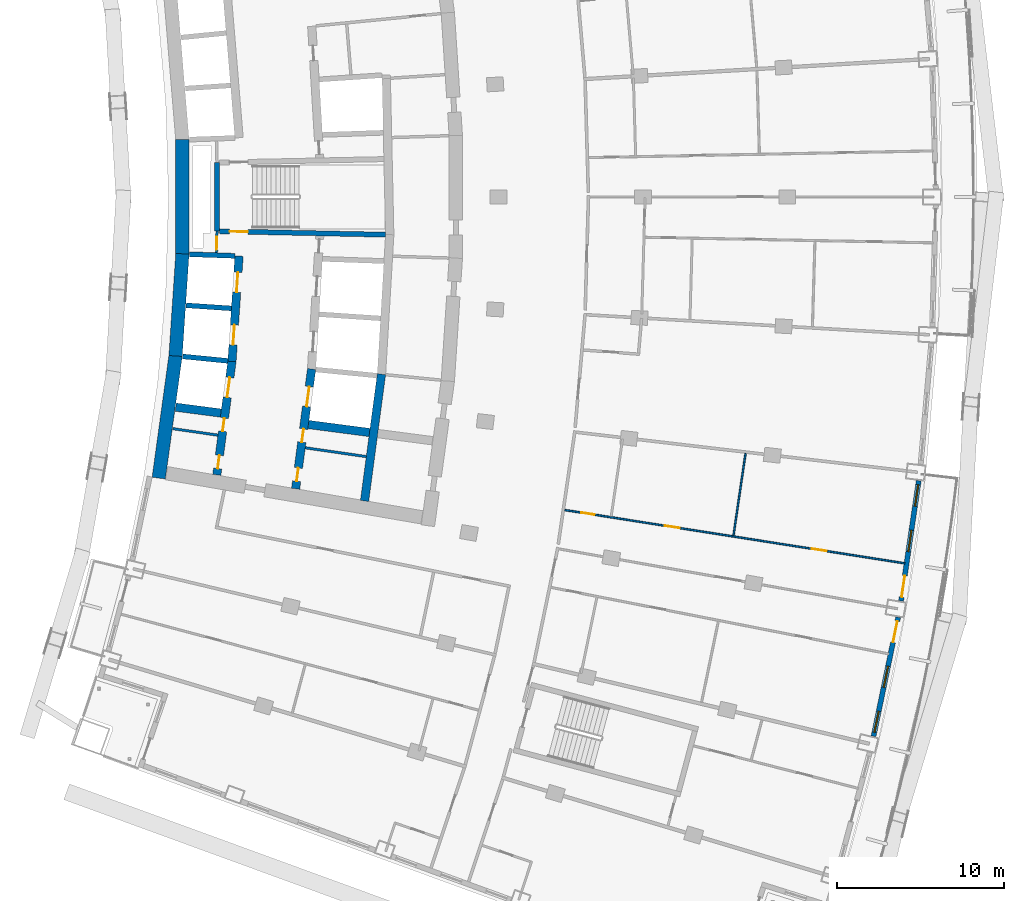
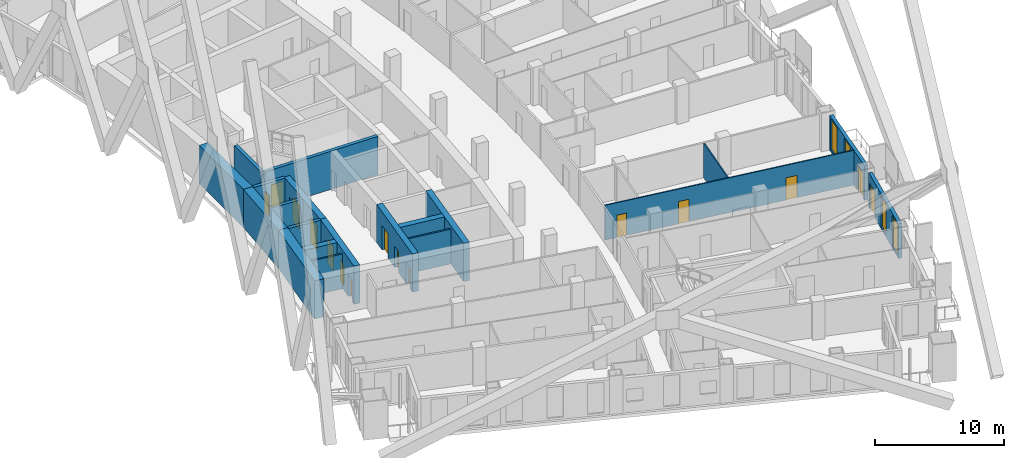
# One storey, part 16 of 26: 21 walls, 15 doors, 4 windows, 19 openings.
"""IFC4 building model written with IfcOpenShell, lengths in metres."""

from ifc_helpers import new_model, si_unit, direction, frame, frame_2d, origin, place, context, subcontext, project, spatial, rectangle, extrude, material, layer, layer_set, type_object, element, fill, save


model = new_model("IFC4")

# Units and contexts
model_context = context("Model", 3, precision=1e-05, world=origin(), true_north=direction((0.0, 1.0)))
body_context = subcontext(model_context, "Body", "Model", "MODEL_VIEW")
ifc_project = project(units=[si_unit("LENGTHUNIT", "METRE"), si_unit("AREAUNIT", "SQUARE_METRE"), si_unit("VOLUMEUNIT", "CUBIC_METRE"), si_unit("PLANEANGLEUNIT", "RADIAN"), si_unit("MASSUNIT", "GRAM", prefix="KILO")], contexts=[model_context])

# Site, building, storey
site_placement = place(None, origin())
site = spatial("IfcSite", under=ifc_project, at=site_placement, CompositionType="ELEMENT")
building_placement = place(site_placement, origin())
building = spatial("IfcBuilding", under=site, at=building_placement, Name="Alderwake Tower", CompositionType="ELEMENT")
storey_placement = place(building_placement, frame((0.0, 0.0, 82.39990234375)))
storey = spatial("IfcBuildingStorey", under=building, at=storey_placement, Name="L19", CompositionType="ELEMENT", Elevation=82.39990234375)

# Wall, opening, door
ifc_material_1 = material(Name="Gypsum shaft wall system, rated")
ifc_layer_1 = layer(ifc_material_1, 0.14990234375)
ifc_layer_set_1 = layer_set([ifc_layer_1], Name="Core room partition 150")
wall_type_1 = type_object("IfcWallType", Name="Core room partition 150", PredefinedType="PARTITIONING", material=ifc_layer_set_1)
wall_1_placement = place(storey_placement, frame((18.918701171875, 58.94384765625, 0.0), z_axis=(0.0, 0.0, 1.0), x_axis=(-0.027348257573, -0.999625966453, 0.0)))
wall_1 = element("IfcWall", 1, at=wall_1_placement, inside=storey, type_object=wall_type_1, Name="CW/L19/PA+24_-37", PredefinedType="PARTITIONING", context=body_context, shape_type="SweptSolid", body=[
    extrude(rectangle(XDim=1.29443359375, YDim=0.14990234375, at=frame_2d((0.647216796875, 0.0))), origin(), (0.0, 0.0, 1.0), 3.280029296875),
])
opening_1_placement = place(wall_1_placement, frame((0.322998046875, 0.0, 0.0)))
opening_1 = element("IfcOpeningElement", 2, at=opening_1_placement, cuts=wall_1, Name="Opening C004", PredefinedType="OPENING", context=body_context, shape_type="SweptSolid", body=[
    extrude(rectangle(XDim=0.800048828125, YDim=2.0, at=frame_2d((0.39990234375, 1.0))), frame((0.0, 0.0849609375, 0.0), z_axis=(0.0, -1.0, 0.0), x_axis=(1.0, 0.0, 0.0)), (0.0, 0.0, 1.0), 0.169921875),
])
ifc_material_2 = material(Name="Painted steel leaf, rated", Category="steel")
door_type_1 = type_object("IfcDoorType", Name="Riser access door 800", OperationType="SINGLE_SWING_LEFT", PredefinedType="DOOR", material=ifc_material_2)
door_1_placement = place(opening_1_placement, origin())
door_1 = element("IfcDoor", 3, at=door_1_placement, inside=storey, type_object=door_type_1, Name="Riser access door", OperationType="SINGLE_SWING_RIGHT", OverallHeight=2.0, OverallWidth=0.800048828125, PredefinedType="DOOR", context=body_context, shape_type="SweptSolid", body=[
    extrude(rectangle(XDim=0.800048828125, YDim=2.0, at=frame_2d((0.39990234375, 1.0))), frame((0.0, 0.02490234375, 0.0), z_axis=(0.0, -1.0, 0.0), x_axis=(1.0, 0.0, 0.0)), (0.0, 0.0, 1.0), 0.050048828125),
])
fill(opening_1, door_1)

# Walls
wall_2_placement = place(storey_placement, frame((16.262451171875, 47.096435546875, 0.0), z_axis=(0.0, 0.0, 1.0), x_axis=(0.989725129284, -0.14298310552, 0.0)))
element("IfcWall", 4, at=wall_2_placement, inside=storey, type_object=wall_type_1, Name="CW/L19/PR-150_+0", PredefinedType="PARTITIONING", context=body_context, shape_type="SweptSolid", body=[
    extrude(rectangle(XDim=2.7353515625, YDim=0.14990234375, at=frame_2d((1.36767578125, 0.0))), origin(), (0.0, 0.0, 1.0), 3.280029296875),
])
wall_3_placement = place(storey_placement, frame((24.212158203125, 45.9482421875, 0.0), z_axis=(0.0, 0.0, 1.0), x_axis=(0.989728979978, -0.142956448583, 0.0)))
element("IfcWall", 5, at=wall_3_placement, inside=storey, type_object=wall_type_1, Name="CW/L19/PR-150_+86", PredefinedType="PARTITIONING", context=body_context, shape_type="SweptSolid", body=[
    extrude(rectangle(XDim=3.695556640625, YDim=0.14990234375, at=frame_2d((1.84765625, 0.0))), origin(), (0.0, 0.0, 1.0), 3.280029296875),
])
ifc_material_3 = material(Name="Concrete C70/85", Category="concrete")
ifc_layer_2 = layer(ifc_material_3, 0.800048828125)
ifc_layer_set_2 = layer_set([ifc_layer_2], Name="Core wall outer 800 C70-85")
wall_type_2 = type_object("IfcWallType", Name="Core wall outer 800 C70-85", PredefinedType="SHEAR", material=ifc_layer_set_2)
wall_4_placement = place(storey_placement, frame((15.419921875, 44.12890625, 0.0), z_axis=(0.0, 0.0, 1.0), x_axis=(0.13634256868, 0.990661750531, 0.0)))
element("IfcWall", 6, at=wall_4_placement, inside=storey, type_object=wall_type_2, Name="Core wall CW.042", PredefinedType="SHEAR", context=body_context, shape_type="SweptSolid", body=[
    extrude(rectangle(XDim=7.42578125, YDim=0.800048828125, at=frame_2d((3.712890625, 0.0))), origin(), (0.0, 0.0, 1.0), 3.60009765625),
])
wall_5_placement = place(storey_placement, frame((16.429443359375, 51.45654296875, 0.0), z_axis=(0.0, 0.0, 1.0), x_axis=(0.066885651624, 0.997760647454, 0.0)))
element("IfcWall", 7, at=wall_5_placement, inside=storey, type_object=wall_type_2, Name="Core wall CW.041", PredefinedType="SHEAR", context=body_context, shape_type="SweptSolid", body=[
    extrude(rectangle(XDim=6.14306640625, YDim=0.800048828125, at=frame_2d((3.071533203125, 0.0))), origin(), (0.0, 0.0, 1.0), 3.60009765625),
])
wall_6_placement = place(storey_placement, frame((16.83935546875, 57.558349609375, 0.0), z_axis=(0.0, 0.0, 1.0), x_axis=(0.0, 1.0, 0.0)))
element("IfcWall", 8, at=wall_6_placement, inside=storey, type_object=wall_type_2, Name="Core wall CW.043", PredefinedType="SHEAR", context=body_context, shape_type="SweptSolid", body=[
    extrude(rectangle(XDim=6.886474609375, YDim=0.800048828125, at=frame_2d((3.443359375, 0.0))), origin(), (0.0, 0.0, 1.0), 3.60009765625),
])
ifc_material_4 = material(Name="Concrete C70/85", Category="concrete")
ifc_layer_3 = layer(ifc_material_4, 0.300048828125)
ifc_layer_set_3 = layer_set([ifc_layer_3], Name="Core wall shaft 300 C70-85")
wall_type_3 = type_object("IfcWallType", Name="Core wall shaft 300 C70-85", PredefinedType="SHEAR", material=ifc_layer_set_3)
wall_7_placement = place(storey_placement, frame((16.8583984375, 51.4287109375, 0.0), z_axis=(0.0, 0.0, 1.0), x_axis=(0.995157330456, -0.098294901394, 0.0)))
element("IfcWall", 9, at=wall_7_placement, inside=storey, type_object=wall_type_3, Name="Core wall CW.065", PredefinedType="SHEAR", context=body_context, shape_type="SweptSolid", body=[
    extrude(rectangle(XDim=2.7197265625, YDim=0.300048828125, at=frame_2d((1.35986328125, 0.0))), origin(), (0.0, 0.0, 1.0), 3.60009765625),
])
wall_8_placement = place(storey_placement, frame((17.06396484375, 54.492919921875, 0.0), z_axis=(0.0, 0.0, 1.0), x_axis=(0.997758851023, -0.066912444326, 0.0)))
element("IfcWall", 10, at=wall_8_placement, inside=storey, type_object=wall_type_3, Name="Core wall CW.079", PredefinedType="SHEAR", context=body_context, shape_type="SweptSolid", body=[
    extrude(rectangle(XDim=2.71826171875, YDim=0.300048828125, at=frame_2d((1.359130859375, 0.0))), origin(), (0.0, 0.0, 1.0), 3.60009765625),
])
wall_9_placement = place(storey_placement, frame((17.269287109375, 57.556884765625, 0.0), z_axis=(0.0, 0.0, 1.0), x_axis=(0.999374351644, -0.035368139275, 0.0)))
element("IfcWall", 11, at=wall_9_placement, inside=storey, type_object=wall_type_3, Name="Core wall CW.076", PredefinedType="SHEAR", context=body_context, shape_type="SweptSolid", body=[
    extrude(rectangle(XDim=2.7197265625, YDim=0.300048828125, at=frame_2d((1.35986328125, 0.0))), origin(), (0.0, 0.0, 1.0), 3.60009765625),
])

# Wall, openings, doors
ifc_material_5 = material(Name="Concrete C70/85", Category="concrete")
ifc_layer_4 = layer(ifc_material_5, 0.5)
ifc_layer_set_4 = layer_set([ifc_layer_4], Name="Core wall spine 500 C70-85")
wall_type_4 = type_object("IfcWallType", Name="Core wall spine 500 C70-85", PredefinedType="SHEAR", material=ifc_layer_set_4)
wall_10_placement = place(storey_placement, frame((19.81494140625, 51.145263671875, 0.0), z_axis=(0.0, 0.0, 1.0), x_axis=(-0.132349652161, -0.991203091991, 0.0)))
wall_10 = element("IfcWall", 12, at=wall_10_placement, inside=storey, type_object=wall_type_4, Name="Core wall CW.033", PredefinedType="SHEAR", context=body_context, shape_type="SweptSolid", body=[
    extrude(rectangle(XDim=6.880615234375, YDim=0.5, at=frame_2d((3.4404296875, 0.0))), origin(), (0.0, 0.0, 1.0), 3.60009765625),
])
opening_2_placement = place(wall_10_placement, frame((0.99072265625, 0.0, 0.0)))
opening_2 = element("IfcOpeningElement", 13, at=opening_2_placement, cuts=wall_10, Name="Opening LD-LP1", PredefinedType="OPENING", context=body_context, shape_type="SweptSolid", body=[
    extrude(rectangle(XDim=1.199951171875, YDim=2.300048828125, at=frame_2d((0.60009765625, 1.14990234375))), frame((0.0, 0.260009765625, 0.0), z_axis=(0.0, -1.0, 0.0), x_axis=(1.0, 0.0, 0.0)), (0.0, 0.0, 1.0), 0.52001953125),
])
opening_3_placement = place(wall_10_placement, frame((5.698486328125, 0.0, 0.0)))
opening_3 = element("IfcOpeningElement", 14, at=opening_3_placement, cuts=wall_10, Name="Opening C008", PredefinedType="OPENING", context=body_context, shape_type="SweptSolid", body=[
    extrude(rectangle(XDim=0.800048828125, YDim=2.0, at=frame_2d((0.39990234375, 1.0))), frame((0.0, 0.260009765625, 0.0), z_axis=(0.0, -1.0, 0.0), x_axis=(1.0, 0.0, 0.0)), (0.0, 0.0, 1.0), 0.52001953125),
])
opening_4_placement = place(wall_10_placement, frame((3.444580078125, 0.0, 0.0)))
opening_4 = element("IfcOpeningElement", 15, at=opening_4_placement, cuts=wall_10, Name="Opening C012", PredefinedType="OPENING", context=body_context, shape_type="SweptSolid", body=[
    extrude(rectangle(XDim=0.800048828125, YDim=2.0, at=frame_2d((0.39990234375, 1.0))), frame((0.0, 0.260009765625, 0.0), z_axis=(0.0, -1.0, 0.0), x_axis=(1.0, 0.0, 0.0)), (0.0, 0.0, 1.0), 0.52001953125),
])
ifc_material_6 = material(Name="Stainless steel sliding leaf", Category="steel")
door_type_2 = type_object("IfcDoorType", Name="Lift landing door 1200", OperationType="SLIDING_TO_LEFT", PredefinedType="DOOR", material=ifc_material_6)
door_2_placement = place(opening_2_placement, origin())
door_2 = element("IfcDoor", 16, at=door_2_placement, inside=storey, type_object=door_type_2, Name="Lift landing door LP1", OperationType="SLIDING_TO_LEFT", OverallHeight=2.300048828125, OverallWidth=1.199951171875, PredefinedType="DOOR", context=body_context, shape_type="SweptSolid", body=[
    extrude(rectangle(XDim=1.199951171875, YDim=2.300048828125, at=frame_2d((0.60009765625, 1.14990234375))), frame((0.0, 0.02490234375, 0.0), z_axis=(0.0, -1.0, 0.0), x_axis=(1.0, 0.0, 0.0)), (0.0, 0.0, 1.0), 0.050048828125),
])
fill(opening_2, door_2)
door_3_placement = place(opening_3_placement, origin())
door_3 = element("IfcDoor", 17, at=door_3_placement, inside=storey, type_object=door_type_1, Name="Riser access door", OperationType="SINGLE_SWING_LEFT", OverallHeight=2.0, OverallWidth=0.800048828125, PredefinedType="DOOR", context=body_context, shape_type="SweptSolid", body=[
    extrude(rectangle(XDim=0.800048828125, YDim=2.0, at=frame_2d((0.39990234375, 1.0))), frame((0.0, 0.02490234375, 0.0), z_axis=(0.0, -1.0, 0.0), x_axis=(1.0, 0.0, 0.0)), (0.0, 0.0, 1.0), 0.050048828125),
])
fill(opening_3, door_3)
door_4_placement = place(opening_4_placement, origin())
door_4 = element("IfcDoor", 18, at=door_4_placement, inside=storey, type_object=door_type_1, Name="Riser access door", OperationType="SINGLE_SWING_RIGHT", OverallHeight=2.0, OverallWidth=0.800048828125, PredefinedType="DOOR", context=body_context, shape_type="SweptSolid", body=[
    extrude(rectangle(XDim=0.800048828125, YDim=2.0, at=frame_2d((0.39990234375, 1.0))), frame((0.0, 0.02490234375, 0.0), z_axis=(0.0, -1.0, 0.0), x_axis=(1.0, 0.0, 0.0)), (0.0, 0.0, 1.0), 0.050048828125),
])
fill(opening_4, door_4)

wall_11_placement = place(storey_placement, frame((19.813232421875, 51.1279296875, 0.0), z_axis=(0.0, 0.0, 1.0), x_axis=(0.066907604831, 0.997759175561, 0.0)))
wall_11 = element("IfcWall", 19, at=wall_11_placement, inside=storey, type_object=wall_type_4, Name="Core wall CW.032", PredefinedType="SHEAR", context=body_context, shape_type="SweptSolid", body=[
    extrude(rectangle(XDim=6.338134765625, YDim=0.5, at=frame_2d((3.1689453125, 0.0))), origin(), (0.0, 0.0, 1.0), 3.60009765625),
])
opening_5_placement = place(wall_11_placement, frame((0.990966796875, 0.0, 0.0)))
opening_5 = element("IfcOpeningElement", 20, at=opening_5_placement, cuts=wall_11, Name="Opening LD-LP2", PredefinedType="OPENING", context=body_context, shape_type="SweptSolid", body=[
    extrude(rectangle(XDim=1.199951171875, YDim=2.300048828125, at=frame_2d((0.60009765625, 1.14990234375))), frame((0.0, 0.260009765625, 0.0), z_axis=(0.0, -1.0, 0.0), x_axis=(1.0, 0.0, 0.0)), (0.0, 0.0, 1.0), 0.52001953125),
])
opening_6_placement = place(wall_11_placement, frame((4.156005859375, 0.0, 0.0)))
opening_6 = element("IfcOpeningElement", 21, at=opening_6_placement, cuts=wall_11, Name="Opening LD-LP3", PredefinedType="OPENING", context=body_context, shape_type="SweptSolid", body=[
    extrude(rectangle(XDim=1.199951171875, YDim=2.300048828125, at=frame_2d((0.60009765625, 1.14990234375))), frame((0.0, 0.260009765625, 0.0), z_axis=(0.0, -1.0, 0.0), x_axis=(1.0, 0.0, 0.0)), (0.0, 0.0, 1.0), 0.52001953125),
])
door_5_placement = place(opening_5_placement, origin())
door_5 = element("IfcDoor", 22, at=door_5_placement, inside=storey, type_object=door_type_2, Name="Lift landing door LP2", OperationType="SLIDING_TO_LEFT", OverallHeight=2.300048828125, OverallWidth=1.199951171875, PredefinedType="DOOR", context=body_context, shape_type="SweptSolid", body=[
    extrude(rectangle(XDim=1.199951171875, YDim=2.300048828125, at=frame_2d((0.60009765625, 1.14990234375))), frame((0.0, 0.02490234375, 0.0), z_axis=(0.0, -1.0, 0.0), x_axis=(1.0, 0.0, 0.0)), (0.0, 0.0, 1.0), 0.050048828125),
])
fill(opening_5, door_5)
door_6_placement = place(opening_6_placement, origin())
door_6 = element("IfcDoor", 23, at=door_6_placement, inside=storey, type_object=door_type_2, Name="Lift landing door LP3", OperationType="SLIDING_TO_LEFT", OverallHeight=2.300048828125, OverallWidth=1.199951171875, PredefinedType="DOOR", context=body_context, shape_type="SweptSolid", body=[
    extrude(rectangle(XDim=1.199951171875, YDim=2.300048828125, at=frame_2d((0.60009765625, 1.14990234375))), frame((0.0, 0.02490234375, 0.0), z_axis=(0.0, -1.0, 0.0), x_axis=(1.0, 0.0, 0.0)), (0.0, 0.0, 1.0), 0.050048828125),
])
fill(opening_6, door_6)

wall_12_placement = place(storey_placement, frame((23.631103515625, 43.489501953125, 0.0), z_axis=(0.0, 0.0, 1.0), x_axis=(0.132532135635, 0.991178708924, 0.0)))
wall_12 = element("IfcWall", 24, at=wall_12_placement, inside=storey, type_object=wall_type_4, Name="Core wall CW.047", PredefinedType="SHEAR", context=body_context, shape_type="SweptSolid", body=[
    extrude(rectangle(XDim=7.248779296875, YDim=0.5, at=frame_2d((3.62451171875, 0.0))), origin(), (0.0, 0.0, 1.0), 3.60009765625),
])
opening_7_placement = place(wall_12_placement, frame((4.981201171875, 0.0, 0.0)))
opening_7 = element("IfcOpeningElement", 25, at=opening_7_placement, cuts=wall_12, Name="Opening LD-LP4", PredefinedType="OPENING", context=body_context, shape_type="SweptSolid", body=[
    extrude(rectangle(XDim=1.199951171875, YDim=2.300048828125, at=frame_2d((0.60009765625, 1.14990234375))), frame((0.0, 0.260009765625, 0.0), z_axis=(0.0, -1.0, 0.0), x_axis=(1.0, 0.0, 0.0)), (0.0, 0.0, 1.0), 0.52001953125),
])
opening_8_placement = place(wall_12_placement, frame((0.4580078125, 0.0, 0.0)))
opening_8 = element("IfcOpeningElement", 26, at=opening_8_placement, cuts=wall_12, Name="Opening C015", PredefinedType="OPENING", context=body_context, shape_type="SweptSolid", body=[
    extrude(rectangle(XDim=0.800048828125, YDim=2.0, at=frame_2d((0.39990234375, 1.0))), frame((0.0, 0.260009765625, 0.0), z_axis=(0.0, -1.0, 0.0), x_axis=(1.0, 0.0, 0.0)), (0.0, 0.0, 1.0), 0.52001953125),
])
opening_9_placement = place(wall_12_placement, frame((2.819580078125, 0.0, 0.0)))
opening_9 = element("IfcOpeningElement", 27, at=opening_9_placement, cuts=wall_12, Name="Opening C019", PredefinedType="OPENING", context=body_context, shape_type="SweptSolid", body=[
    extrude(rectangle(XDim=0.800048828125, YDim=2.0, at=frame_2d((0.39990234375, 1.0))), frame((0.0, 0.260009765625, 0.0), z_axis=(0.0, -1.0, 0.0), x_axis=(1.0, 0.0, 0.0)), (0.0, 0.0, 1.0), 0.52001953125),
])
door_7_placement = place(opening_7_placement, origin())
door_7 = element("IfcDoor", 28, at=door_7_placement, inside=storey, type_object=door_type_2, Name="Lift landing door LP4", OperationType="SLIDING_TO_LEFT", OverallHeight=2.300048828125, OverallWidth=1.199951171875, PredefinedType="DOOR", context=body_context, shape_type="SweptSolid", body=[
    extrude(rectangle(XDim=1.199951171875, YDim=2.300048828125, at=frame_2d((0.60009765625, 1.14990234375))), frame((0.0, 0.02490234375, 0.0), z_axis=(0.0, -1.0, 0.0), x_axis=(1.0, 0.0, 0.0)), (0.0, 0.0, 1.0), 0.050048828125),
])
fill(opening_7, door_7)
door_8_placement = place(opening_8_placement, origin())
door_8 = element("IfcDoor", 29, at=door_8_placement, inside=storey, type_object=door_type_1, Name="Riser access door", OperationType="SINGLE_SWING_LEFT", OverallHeight=2.0, OverallWidth=0.800048828125, PredefinedType="DOOR", context=body_context, shape_type="SweptSolid", body=[
    extrude(rectangle(XDim=0.800048828125, YDim=2.0, at=frame_2d((0.39990234375, 1.0))), frame((0.0, 0.02490234375, 0.0), z_axis=(0.0, -1.0, 0.0), x_axis=(1.0, 0.0, 0.0)), (0.0, 0.0, 1.0), 0.050048828125),
])
fill(opening_8, door_8)
door_9_placement = place(opening_9_placement, origin())
door_9 = element("IfcDoor", 30, at=door_9_placement, inside=storey, type_object=door_type_1, Name="Riser access door", OperationType="SINGLE_SWING_RIGHT", OverallHeight=2.0, OverallWidth=0.800048828125, PredefinedType="DOOR", context=body_context, shape_type="SweptSolid", body=[
    extrude(rectangle(XDim=0.800048828125, YDim=2.0, at=frame_2d((0.39990234375, 1.0))), frame((0.0, 0.02490234375, 0.0), z_axis=(0.0, -1.0, 0.0), x_axis=(1.0, 0.0, 0.0)), (0.0, 0.0, 1.0), 0.050048828125),
])
fill(opening_9, door_9)

# Walls
wall_13_placement = place(storey_placement, frame((27.76708984375, 42.75830078125, 0.0), z_axis=(0.0, 0.0, 1.0), x_axis=(0.132213731211, 0.991221231249, 0.0)))
element("IfcWall", 31, at=wall_13_placement, inside=storey, type_object=wall_type_4, Name="Core wall CW.006", PredefinedType="SHEAR", context=body_context, shape_type="SweptSolid", body=[
    extrude(rectangle(XDim=7.67431640625, YDim=0.5, at=frame_2d((3.837158203125, 0.0))), origin(), (0.0, 0.0, 1.0), 3.60009765625),
])
wall_14_placement = place(storey_placement, frame((16.43994140625, 48.38623046875, 0.0), z_axis=(0.0, 0.0, 1.0), x_axis=(0.991557472006, -0.129667959452, 0.0)))
element("IfcWall", 32, at=wall_14_placement, inside=storey, type_object=wall_type_4, Name="Core wall CW.067", PredefinedType="SHEAR", context=body_context, shape_type="SweptSolid", body=[
    extrude(rectangle(XDim=2.72998046875, YDim=0.5, at=frame_2d((1.364990234375, 0.0))), origin(), (0.0, 0.0, 1.0), 3.60009765625),
])
wall_15_placement = place(storey_placement, frame((24.39892578125, 47.345458984375, 0.0), z_axis=(0.0, 0.0, 1.0), x_axis=(0.991553185565, -0.129700733209, 0.0)))
element("IfcWall", 33, at=wall_15_placement, inside=storey, type_object=wall_type_4, Name="Core wall CW.069", PredefinedType="SHEAR", context=body_context, shape_type="SweptSolid", body=[
    extrude(rectangle(XDim=3.695068359375, YDim=0.5, at=frame_2d((1.84765625, 0.0))), origin(), (0.0, 0.0, 1.0), 3.60009765625),
])
ifc_material_7 = material(Name="Concrete C70/85", Category="concrete")
ifc_layer_5 = layer(ifc_material_7, 0.300048828125)
ifc_layer_set_5 = layer_set([ifc_layer_5], Name="Core wall stair enclosure 300 C70-85")
wall_type_5 = type_object("IfcWallType", Name="Core wall stair enclosure 300 C70-85", PredefinedType="SHEAR", material=ifc_layer_set_5)
wall_16_placement = place(storey_placement, frame((18.918701171875, 58.94091796875, 0.0), z_axis=(0.0, 0.0, 1.0), x_axis=(0.0, 1.0, 0.0)))
element("IfcWall", 34, at=wall_16_placement, inside=storey, type_object=wall_type_5, Name="Core wall CW.024", PredefinedType="SHEAR", context=body_context, shape_type="SweptSolid", body=[
    extrude(rectangle(XDim=4.119384765625, YDim=0.300048828125, at=frame_2d((2.0595703125, 0.0))), origin(), (0.0, 0.0, 1.0), 3.60009765625),
])

# Wall, opening, door
wall_17_placement = place(storey_placement, frame((29.026123046875, 58.73193359375, 0.0), z_axis=(0.0, 0.0, 1.0), x_axis=(-0.999783418156, 0.020811457903, 0.0)))
wall_17 = element("IfcWall", 35, at=wall_17_placement, inside=storey, type_object=wall_type_5, Name="Core wall CW.074", PredefinedType="SHEAR", context=body_context, shape_type="SweptSolid", body=[
    extrude(rectangle(XDim=9.959716796875, YDim=0.300048828125, at=frame_2d((4.97998046875, 0.0))), origin(), (0.0, 0.0, 1.0), 3.60009765625),
])
opening_10_placement = place(wall_17_placement, frame((8.259765625, 0.0, 0.0)))
opening_10 = element("IfcOpeningElement", 36, at=opening_10_placement, cuts=wall_17, Name="Opening C063", PredefinedType="OPENING", context=body_context, shape_type="SweptSolid", body=[
    extrude(rectangle(XDim=1.10009765625, YDim=2.10009765625, at=frame_2d((0.550048828125, 1.050048828125))), frame((0.0, 0.159912109375, 0.0), z_axis=(0.0, -1.0, 0.0), x_axis=(1.0, 0.0, 0.0)), (0.0, 0.0, 1.0), 0.320068359375),
])
ifc_material_8 = material(Name="Steel-framed fire door leaf", Category="steel")
door_type_3 = type_object("IfcDoorType", Name="Core stair door 1100 fire-rated", OperationType="SINGLE_SWING_LEFT", PredefinedType="DOOR", material=ifc_material_8)
door_10_placement = place(opening_10_placement, origin())
door_10 = element("IfcDoor", 37, at=door_10_placement, inside=storey, type_object=door_type_3, Name="Stair door", OperationType="SINGLE_SWING_RIGHT", OverallHeight=2.10009765625, OverallWidth=1.10009765625, PredefinedType="DOOR", context=body_context, shape_type="SweptSolid", body=[
    extrude(rectangle(XDim=1.10009765625, YDim=2.10009765625, at=frame_2d((0.550048828125, 1.050048828125))), frame((0.0, 0.02490234375, 0.0), z_axis=(0.0, -1.0, 0.0), x_axis=(1.0, 0.0, 0.0)), (0.0, 0.0, 1.0), 0.050048828125),
])
fill(opening_10, door_10)

# Wall, openings, door, windows
ifc_material_9 = material(Name="Precast concrete C50/60 spandrel panel", Category="concrete")
ifc_layer_6 = layer(ifc_material_9, 0.300048828125)
ifc_layer_set_6 = layer_set([ifc_layer_6], Name="External wall EW1 Precast concrete C50/60 spandrel")
wall_type_6 = type_object("IfcWallType", Name="External wall EW1 Precast concrete C50/60 spandrel", PredefinedType="SOLIDWALL", material=ifc_layer_set_6)
wall_18_placement = place(storey_placement, frame((58.3017578125, 28.643310546875, 0.0), z_axis=(0.0, 0.0, 1.0), x_axis=(0.202747398162, 0.979231072086, 0.0)))
wall_18 = element("IfcWall", 38, at=wall_18_placement, inside=storey, type_object=wall_type_6, Name="External wall 13", PredefinedType="SOLIDWALL", context=body_context, shape_type="SweptSolid", body=[
    extrude(rectangle(XDim=7.28759765625, YDim=0.300048828125, at=frame_2d((3.643798828125, 0.0))), origin(), (0.0, 0.0, 1.0), 3.280029296875),
])
opening_11_placement = place(wall_18_placement, frame((0.23681640625, 0.0, 0.199951171875)))
opening_11 = element("IfcOpeningElement", 39, at=opening_11_placement, cuts=wall_18, Name="Opening W1", PredefinedType="OPENING", context=body_context, shape_type="SweptSolid", body=[
    extrude(rectangle(XDim=1.300048828125, YDim=2.89990234375, at=frame_2d((0.64990234375, 1.449951171875))), frame((0.0, 0.159912109375, 0.0), z_axis=(0.0, -1.0, 0.0), x_axis=(1.0, 0.0, 0.0)), (0.0, 0.0, 1.0), 0.320068359375),
])
opening_12_placement = place(wall_18_placement, frame((2.99365234375, 0.0, 0.199951171875)))
opening_12 = element("IfcOpeningElement", 40, at=opening_12_placement, cuts=wall_18, Name="Opening W1", PredefinedType="OPENING", context=body_context, shape_type="SweptSolid", body=[
    extrude(rectangle(XDim=1.300048828125, YDim=2.89990234375, at=frame_2d((0.64990234375, 1.449951171875))), frame((0.0, 0.159912109375, 0.0), z_axis=(0.0, -1.0, 0.0), x_axis=(1.0, 0.0, 0.0)), (0.0, 0.0, 1.0), 0.320068359375),
])
opening_13_placement = place(wall_18_placement, frame((5.75048828125, 0.0, 0.0)))
opening_13 = element("IfcOpeningElement", 41, at=opening_13_placement, cuts=wall_18, Name="Opening D04", PredefinedType="OPENING", context=body_context, shape_type="SweptSolid", body=[
    extrude(rectangle(XDim=1.300048828125, YDim=2.39990234375, at=frame_2d((0.64990234375, 1.199951171875))), frame((0.0, 0.159912109375, 0.0), z_axis=(0.0, -1.0, 0.0), x_axis=(1.0, 0.0, 0.0)), (0.0, 0.0, 1.0), 0.320068359375),
])
ifc_material_10 = material(Name="Bronze tinted glass in aluminium frame", Category="aluminium")
door_type_4 = type_object("IfcDoorType", Name="Balcony door BD sliding", OperationType="SLIDING_TO_LEFT", PredefinedType="DOOR", material=ifc_material_10)
door_11_placement = place(opening_13_placement, origin())
door_11 = element("IfcDoor", 42, at=door_11_placement, inside=storey, type_object=door_type_4, Name="Door D04", OperationType="SLIDING_TO_LEFT", OverallHeight=2.39990234375, OverallWidth=1.300048828125, PredefinedType="DOOR", context=body_context, shape_type="SweptSolid", body=[
    extrude(rectangle(XDim=1.300048828125, YDim=2.39990234375, at=frame_2d((0.64990234375, 1.199951171875))), frame((0.0, 0.02490234375, 0.0), z_axis=(0.0, -1.0, 0.0), x_axis=(1.0, 0.0, 0.0)), (0.0, 0.0, 1.0), 0.050048828125),
])
fill(opening_13, door_11)
ifc_material_11 = material(Name="Bronze tinted glass in aluminium frame", Category="aluminium")
window_type = type_object("IfcWindowType", Name="Window W1 tall fixed and vent", PartitioningType="DOUBLE_PANEL_VERTICAL", PredefinedType="WINDOW", material=ifc_material_11)
window_1_placement = place(opening_11_placement, origin())
window_1 = element("IfcWindow", 43, at=window_1_placement, inside=storey, type_object=window_type, Name="Window W1 tall fixed and vent", OverallHeight=2.89990234375, OverallWidth=1.300048828125, PartitioningType="DOUBLE_PANEL_VERTICAL", PredefinedType="WINDOW", context=body_context, shape_type="SweptSolid", body=[
    extrude(rectangle(XDim=1.300048828125, YDim=2.89990234375, at=frame_2d((0.64990234375, 1.449951171875))), frame((0.0, 0.030029296875, 0.0), z_axis=(0.0, -1.0, 0.0), x_axis=(1.0, 0.0, 0.0)), (0.0, 0.0, 1.0), 0.06005859375),
])
fill(opening_11, window_1)
window_2_placement = place(opening_12_placement, origin())
window_2 = element("IfcWindow", 44, at=window_2_placement, inside=storey, type_object=window_type, Name="Window W1 tall fixed and vent", OverallHeight=2.89990234375, OverallWidth=1.300048828125, PartitioningType="DOUBLE_PANEL_VERTICAL", PredefinedType="WINDOW", context=body_context, shape_type="SweptSolid", body=[
    extrude(rectangle(XDim=1.300048828125, YDim=2.89990234375, at=frame_2d((0.64990234375, 1.449951171875))), frame((0.0, 0.030029296875, 0.0), z_axis=(0.0, -1.0, 0.0), x_axis=(1.0, 0.0, 0.0)), (0.0, 0.0, 1.0), 0.06005859375),
])
fill(opening_12, window_2)

wall_19_placement = place(storey_placement, frame((59.952880859375, 36.761474609375, 0.0), z_axis=(0.0, 0.0, 1.0), x_axis=(0.145299158465, 0.989387767536, 0.0)))
wall_19 = element("IfcWall", 45, at=wall_19_placement, inside=storey, type_object=wall_type_6, Name="External wall 14", PredefinedType="SOLIDWALL", context=body_context, shape_type="SweptSolid", body=[
    extrude(rectangle(XDim=7.287353515625, YDim=0.300048828125, at=frame_2d((3.6435546875, 0.0))), origin(), (0.0, 0.0, 1.0), 3.280029296875),
])
opening_14_placement = place(wall_19_placement, frame((0.23681640625, 0.0, 0.0)))
opening_14 = element("IfcOpeningElement", 46, at=opening_14_placement, cuts=wall_19, Name="Opening D05", PredefinedType="OPENING", context=body_context, shape_type="SweptSolid", body=[
    extrude(rectangle(XDim=1.300048828125, YDim=2.39990234375, at=frame_2d((0.64990234375, 1.199951171875))), frame((0.0, 0.159912109375, 0.0), z_axis=(0.0, -1.0, 0.0), x_axis=(1.0, 0.0, 0.0)), (0.0, 0.0, 1.0), 0.320068359375),
])
opening_15_placement = place(wall_19_placement, frame((2.99365234375, 0.0, 0.199951171875)))
opening_15 = element("IfcOpeningElement", 47, at=opening_15_placement, cuts=wall_19, Name="Opening W1", PredefinedType="OPENING", context=body_context, shape_type="SweptSolid", body=[
    extrude(rectangle(XDim=1.300048828125, YDim=2.89990234375, at=frame_2d((0.64990234375, 1.449951171875))), frame((0.0, 0.159912109375, 0.0), z_axis=(0.0, -1.0, 0.0), x_axis=(1.0, 0.0, 0.0)), (0.0, 0.0, 1.0), 0.320068359375),
])
opening_16_placement = place(wall_19_placement, frame((5.75048828125, 0.0, 0.199951171875)))
opening_16 = element("IfcOpeningElement", 48, at=opening_16_placement, cuts=wall_19, Name="Opening W1", PredefinedType="OPENING", context=body_context, shape_type="SweptSolid", body=[
    extrude(rectangle(XDim=1.300048828125, YDim=2.89990234375, at=frame_2d((0.64990234375, 1.449951171875))), frame((0.0, 0.159912109375, 0.0), z_axis=(0.0, -1.0, 0.0), x_axis=(1.0, 0.0, 0.0)), (0.0, 0.0, 1.0), 0.320068359375),
])
door_12_placement = place(opening_14_placement, origin())
door_12 = element("IfcDoor", 49, at=door_12_placement, inside=storey, type_object=door_type_4, Name="Door D05", OperationType="SLIDING_TO_LEFT", OverallHeight=2.39990234375, OverallWidth=1.300048828125, PredefinedType="DOOR", context=body_context, shape_type="SweptSolid", body=[
    extrude(rectangle(XDim=1.300048828125, YDim=2.39990234375, at=frame_2d((0.64990234375, 1.199951171875))), frame((0.0, 0.02490234375, 0.0), z_axis=(0.0, -1.0, 0.0), x_axis=(1.0, 0.0, 0.0)), (0.0, 0.0, 1.0), 0.050048828125),
])
fill(opening_14, door_12)
window_3_placement = place(opening_15_placement, origin())
window_3 = element("IfcWindow", 50, at=window_3_placement, inside=storey, type_object=window_type, Name="Window W1 tall fixed and vent", OverallHeight=2.89990234375, OverallWidth=1.300048828125, PartitioningType="DOUBLE_PANEL_VERTICAL", PredefinedType="WINDOW", context=body_context, shape_type="SweptSolid", body=[
    extrude(rectangle(XDim=1.300048828125, YDim=2.89990234375, at=frame_2d((0.64990234375, 1.449951171875))), frame((0.0, 0.030029296875, 0.0), z_axis=(0.0, -1.0, 0.0), x_axis=(1.0, 0.0, 0.0)), (0.0, 0.0, 1.0), 0.06005859375),
])
fill(opening_15, window_3)
window_4_placement = place(opening_16_placement, origin())
window_4 = element("IfcWindow", 51, at=window_4_placement, inside=storey, type_object=window_type, Name="Window W1 tall fixed and vent", OverallHeight=2.89990234375, OverallWidth=1.300048828125, PartitioningType="DOUBLE_PANEL_VERTICAL", PredefinedType="WINDOW", context=body_context, shape_type="SweptSolid", body=[
    extrude(rectangle(XDim=1.300048828125, YDim=2.89990234375, at=frame_2d((0.64990234375, 1.449951171875))), frame((0.0, 0.030029296875, 0.0), z_axis=(0.0, -1.0, 0.0), x_axis=(1.0, 0.0, 0.0)), (0.0, 0.0, 1.0), 0.06005859375),
])
fill(opening_16, window_4)

# Wall, openings, doors
ifc_material_12 = material(Name="Gypsum board on metal studs")
ifc_layer_7 = layer(ifc_material_12, 0.10009765625)
ifc_layer_set_7 = layer_set([ifc_layer_7], Name="Unit partition 100")
wall_type_7 = type_object("IfcWallType", Name="Unit partition 100", PredefinedType="PARTITIONING", material=ifc_layer_set_7)
wall_20_placement = place(storey_placement, frame((39.76904296875, 42.215576171875, 0.0), z_axis=(0.0, 0.0, 1.0), x_axis=(0.987930802419, -0.154895867056, 0.0)))
wall_20 = element("IfcWall", 52, at=wall_20_placement, inside=storey, type_object=wall_type_7, Name="WL/L19/W68", PredefinedType="PARTITIONING", context=body_context, shape_type="SweptSolid", body=[
    extrude(rectangle(XDim=20.66357421875, YDim=0.10009765625, at=frame_2d((10.331787109375, 0.0))), origin(), (0.0, 0.0, 1.0), 3.280029296875),
])
opening_17_placement = place(wall_20_placement, frame((6.08251953125, 0.0, 0.0)))
opening_17 = element("IfcOpeningElement", 53, at=opening_17_placement, cuts=wall_20, Name="Opening R05-U05.5", PredefinedType="OPENING", context=body_context, shape_type="SweptSolid", body=[
    extrude(rectangle(XDim=0.89990234375, YDim=2.10009765625, at=frame_2d((0.449951171875, 1.050048828125))), frame((0.0, 0.06005859375, 0.0), z_axis=(0.0, -1.0, 0.0), x_axis=(1.0, 0.0, 0.0)), (0.0, 0.0, 1.0), 0.1201171875),
])
opening_18_placement = place(wall_20_placement, frame((1.010009765625, 0.0, 0.0)))
opening_18 = element("IfcOpeningElement", 54, at=opening_18_placement, cuts=wall_20, Name="Opening R05-U05.6", PredefinedType="OPENING", context=body_context, shape_type="SweptSolid", body=[
    extrude(rectangle(XDim=0.800048828125, YDim=2.10009765625, at=frame_2d((0.39990234375, 1.050048828125))), frame((0.0, 0.06005859375, 0.0), z_axis=(0.0, -1.0, 0.0), x_axis=(1.0, 0.0, 0.0)), (0.0, 0.0, 1.0), 0.1201171875),
])
opening_19_placement = place(wall_20_placement, frame((15.004150390625, 0.0, 0.0)))
opening_19 = element("IfcOpeningElement", 55, at=opening_19_placement, cuts=wall_20, Name="Opening R05-U05.7", PredefinedType="OPENING", context=body_context, shape_type="SweptSolid", body=[
    extrude(rectangle(XDim=0.89990234375, YDim=2.10009765625, at=frame_2d((0.449951171875, 1.050048828125))), frame((0.0, 0.06005859375, 0.0), z_axis=(0.0, -1.0, 0.0), x_axis=(1.0, 0.0, 0.0)), (0.0, 0.0, 1.0), 0.1201171875),
])
ifc_material_13 = material(Name="Painted timber leaf", Category="wood")
door_type_5 = type_object("IfcDoorType", Name="Bathroom door 800", OperationType="SINGLE_SWING_LEFT", PredefinedType="DOOR", material=ifc_material_13)
door_13_placement = place(opening_18_placement, origin())
door_13 = element("IfcDoor", 56, at=door_13_placement, inside=storey, type_object=door_type_5, Name="DR/L19/U05.6", OperationType="SINGLE_SWING_LEFT", OverallHeight=2.10009765625, OverallWidth=0.800048828125, PredefinedType="DOOR", context=body_context, shape_type="SweptSolid", body=[
    extrude(rectangle(XDim=0.800048828125, YDim=2.10009765625, at=frame_2d((0.39990234375, 1.050048828125))), frame((0.0, 0.02490234375, 0.0), z_axis=(0.0, -1.0, 0.0), x_axis=(1.0, 0.0, 0.0)), (0.0, 0.0, 1.0), 0.050048828125),
])
fill(opening_18, door_13)
ifc_material_14 = material(Name="Painted timber leaf", Category="wood")
door_type_6 = type_object("IfcDoorType", Name="Room door 900", OperationType="SINGLE_SWING_LEFT", PredefinedType="DOOR", material=ifc_material_14)
door_14_placement = place(opening_17_placement, origin())
door_14 = element("IfcDoor", 57, at=door_14_placement, inside=storey, type_object=door_type_6, Name="DR/L19/U05.5", OperationType="SINGLE_SWING_LEFT", OverallHeight=2.10009765625, OverallWidth=0.89990234375, PredefinedType="DOOR", context=body_context, shape_type="SweptSolid", body=[
    extrude(rectangle(XDim=0.89990234375, YDim=2.10009765625, at=frame_2d((0.449951171875, 1.050048828125))), frame((0.0, 0.02490234375, 0.0), z_axis=(0.0, -1.0, 0.0), x_axis=(1.0, 0.0, 0.0)), (0.0, 0.0, 1.0), 0.050048828125),
])
fill(opening_17, door_14)
door_15_placement = place(opening_19_placement, origin())
door_15 = element("IfcDoor", 58, at=door_15_placement, inside=storey, type_object=door_type_6, Name="DR/L19/U05.7", OperationType="SINGLE_SWING_LEFT", OverallHeight=2.10009765625, OverallWidth=0.89990234375, PredefinedType="DOOR", context=body_context, shape_type="SweptSolid", body=[
    extrude(rectangle(XDim=0.89990234375, YDim=2.10009765625, at=frame_2d((0.449951171875, 1.050048828125))), frame((0.0, 0.02490234375, 0.0), z_axis=(0.0, -1.0, 0.0), x_axis=(1.0, 0.0, 0.0)), (0.0, 0.0, 1.0), 0.050048828125),
])
fill(opening_19, door_15)

# Wall
wall_21_placement = place(storey_placement, frame((49.897216796875, 40.678466796875, 0.0), z_axis=(0.0, 0.0, 1.0), x_axis=(0.145444645859, 0.989366390672, 0.0)))
element("IfcWall", 59, at=wall_21_placement, inside=storey, type_object=wall_type_7, Name="WL/L19/W78", PredefinedType="PARTITIONING", context=body_context, shape_type="SweptSolid", body=[
    extrude(rectangle(XDim=4.9853515625, YDim=0.10009765625, at=frame_2d((2.49267578125, 0.0))), origin(), (0.0, 0.0, 1.0), 3.280029296875),
])

save(model, "model.ifc")
